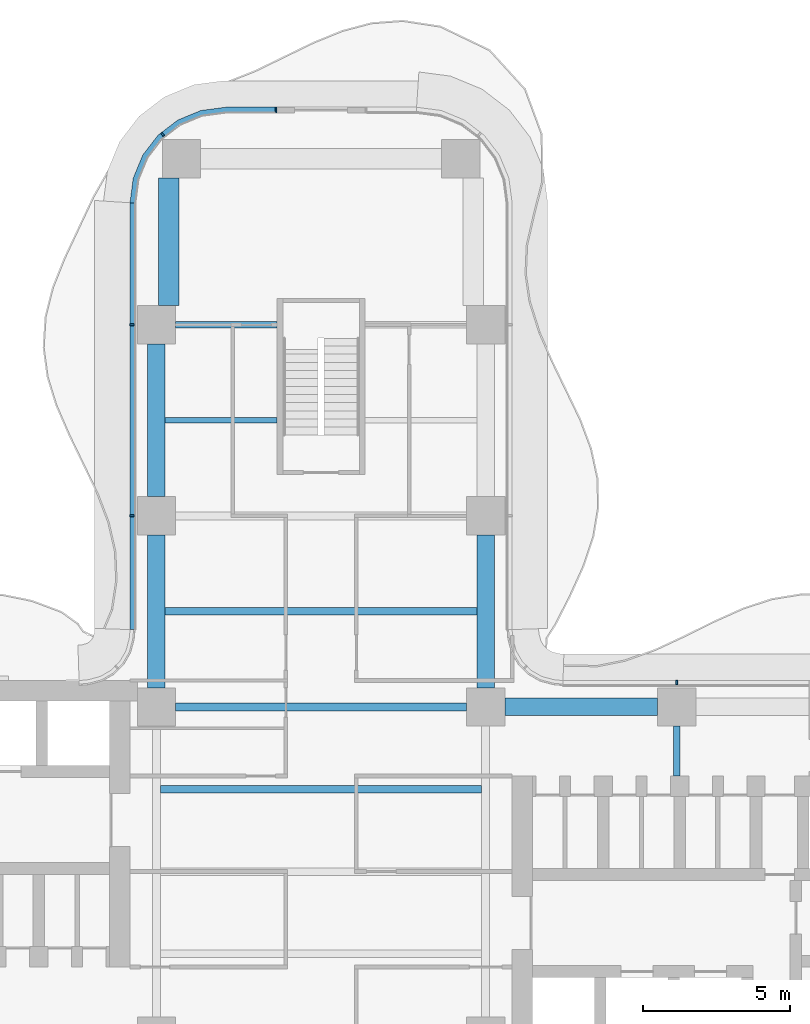
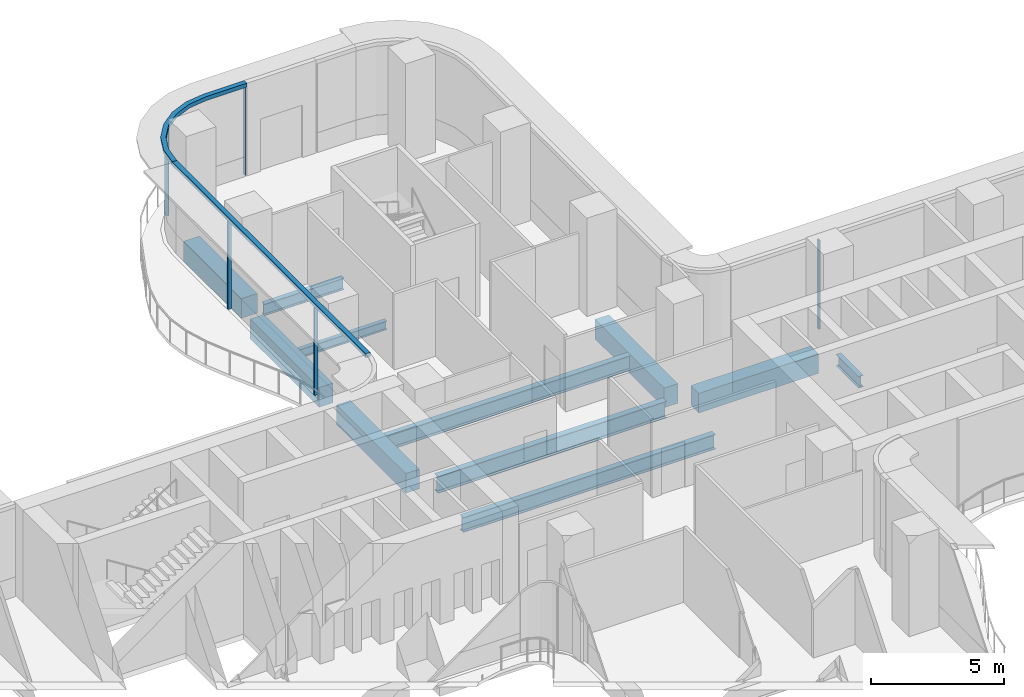
# One storey, part 9 of 23: 11 beams, 7 members, 3 elements without a shape of their own.
"""IFC4 building model written with IfcOpenShell, lengths in metres."""

import ifcopenshell
import ifcopenshell.guid

model = None  # the IFC model being written
_history = None  # IfcOwnerHistory: only IFC2X3 demands one
_inside = {}  # id of a spatial element -> (the spatial element, [elements in it])
_under = {}  # id of a project, library or spatial element -> (it, [spatial elements below it])
_declared = {}  # id of a project -> (the project, [libraries it declares])
_typed = {}  # id of a type object -> (the type object, [elements of that type])
_made_of = {}  # id of a material, layer set ... -> (it, [elements and type objects made of it])


def new_model(schema):
    """Start an empty IFC model of exactly this schema.

    Asked for "IFC4X3", IfcOpenShell would pick the latest addendum, in which some entities
    have other attributes; the version numbers below select the first issue.
    IFC2X3 requires an IfcOwnerHistory on every rooted entity: one is made here for all.
    """
    global model, _history
    if schema == "IFC4X3":
        model = ifcopenshell.file(schema_version=(4, 3, 0, 0))
    else:
        model = ifcopenshell.file(schema=schema)
    _inside.clear()
    _under.clear()
    _declared.clear()
    _typed.clear()
    _made_of.clear()
    _history = None
    if model.schema == "IFC2X3":
        org = make("IfcOrganization", Name="unknown")
        user = make(
            "IfcPersonAndOrganization",
            ThePerson=make("IfcPerson", FamilyName="unknown"),
            TheOrganization=org,
        )
        app = make(
            "IfcApplication",
            ApplicationDeveloper=org,
            Version="unknown",
            ApplicationFullName="unknown",
            ApplicationIdentifier="unknown",
        )
        _history = make(
            "IfcOwnerHistory",
            OwningUser=user,
            OwningApplication=app,
            ChangeAction="ADDED",
            CreationDate=0,
        )
    return model


def make(cls, **values):
    """One entity of the class cls with the attributes given. An attribute that is None is left unset."""
    return model.create_entity(
        cls, **{name: value for name, value in values.items() if value is not None}
    )


def rooted(cls, **values):
    """An entity with a GlobalId (a new one), such as an element, a storey or a relation."""
    return make(cls, GlobalId=ifcopenshell.guid.new(), OwnerHistory=_history, **values)


def si_unit(unit_type, name, prefix=None):
    """IfcSIUnit, for example si_unit("LENGTHUNIT", "METRE", prefix="MILLI")."""
    return make("IfcSIUnit", UnitType=unit_type, Prefix=prefix, Name=name)


def assignment(units):
    """IfcUnitAssignment: the units of a project."""
    return None if units is None else make("IfcUnitAssignment", Units=units)


def point(xyz):
    """IfcCartesianPoint."""
    return None if xyz is None else make("IfcCartesianPoint", Coordinates=xyz)


def direction(xyz):
    """IfcDirection."""
    return None if xyz is None else make("IfcDirection", DirectionRatios=xyz)


def frame(location, z_axis=None, x_axis=None):
    """IfcAxis2Placement3D, a coordinate frame: its origin and axes. An axis left out is left unset."""
    return make(
        "IfcAxis2Placement3D",
        Location=point(location),
        Axis=direction(z_axis),
        RefDirection=direction(x_axis),
    )


def frame_2d(location, x_axis=None):
    """IfcAxis2Placement2D, a coordinate frame in the plane: its origin and x axis."""
    return make(
        "IfcAxis2Placement2D", Location=point(location), RefDirection=direction(x_axis)
    )


def origin():
    """The frame at (0, 0, 0) with its axes left unset."""
    return frame((0.0, 0.0, 0.0))


def origin_2d():
    """The frame at (0, 0) in the plane with its x axis left unset."""
    return frame_2d((0.0, 0.0))


def place(relative_to, where):
    """IfcLocalPlacement: puts the frame where relative to a parent placement (None: the world)."""
    return make(
        "IfcLocalPlacement", PlacementRelTo=relative_to, RelativePlacement=where
    )


def context(
    kind, dimensions, precision=None, world=None, true_north=None, identifier=None
):
    """IfcGeometricRepresentationContext, for example the 3D "Model" context."""
    return make(
        "IfcGeometricRepresentationContext",
        ContextIdentifier=identifier,
        ContextType=kind,
        CoordinateSpaceDimension=dimensions,
        Precision=precision,
        WorldCoordinateSystem=world,
        TrueNorth=true_north,
    )


def subcontext(parent, identifier, kind, view, scale=None):
    """IfcGeometricRepresentationSubContext, for example "Body" below "Model"."""
    return make(
        "IfcGeometricRepresentationSubContext",
        ContextIdentifier=identifier,
        ContextType=kind,
        ParentContext=parent,
        TargetScale=scale,
        TargetView=view,
    )


def project(units=None, contexts=None):
    """IfcProject with its units and contexts."""
    return rooted(
        "IfcProject",
        Name="project",
        RepresentationContexts=contexts,
        UnitsInContext=assignment(units),
    )


def spatial(cls, under=None, at=None, **own):
    """A site, building, storey or space (cls), placed at a placement, below another one or the project."""
    s = rooted(cls, ObjectPlacement=at, **own)
    if under is not None:
        _under.setdefault(under.id(), (under, []))[1].append(s)
    return s


def polyline(points):
    """IfcPolyline through the points."""
    return make("IfcPolyline", Points=[point(p) for p in points])


def profile(cls, at=None, kind="AREA", **sizes):
    """A parametric profile (cls). Its sizes go by their IFC names, for example OverallWidth=200.0."""
    return make(cls, ProfileType=kind, Position=at, **sizes)


def rectangle(**sizes):
    """IfcRectangleProfileDef."""
    return profile("IfcRectangleProfileDef", **sizes)


def i_section(**sizes):
    """IfcIShapeProfileDef."""
    return profile("IfcIShapeProfileDef", **sizes)


def outline(outer, holes=None, kind="AREA"):
    """IfcArbitraryClosedProfileDef: a profile drawn as a closed curve; with holes, ...WithVoids."""
    if holes is None:
        return make("IfcArbitraryClosedProfileDef", ProfileType=kind, OuterCurve=outer)
    return make(
        "IfcArbitraryProfileDefWithVoids",
        ProfileType=kind,
        OuterCurve=outer,
        InnerCurves=holes,
    )


def extrude(swept, where, along, depth):
    """IfcExtrudedAreaSolid: the profile swept, set in the frame where, extruded along a direction by depth."""
    return make(
        "IfcExtrudedAreaSolid",
        SweptArea=swept,
        Position=where,
        ExtrudedDirection=direction(along),
        Depth=depth,
    )


def shape(context_of_items, identifier, shape_type, items):
    """IfcShapeRepresentation: the items that make up one representation, for example the "Body"."""
    return make(
        "IfcShapeRepresentation",
        ContextOfItems=context_of_items,
        RepresentationIdentifier=identifier,
        RepresentationType=shape_type,
        Items=items,
    )


def source(mapping_origin, context_of_items, identifier, shape_type, items):
    """IfcRepresentationMap: a shape defined once, which mapped items show again and again."""
    return make(
        "IfcRepresentationMap",
        MappingOrigin=mapping_origin,
        MappedRepresentation=shape(context_of_items, identifier, shape_type, items),
    )


def transform(
    local_origin,
    x_axis=None,
    y_axis=None,
    z_axis=None,
    scale=None,
    scale2=None,
    scale3=None,
    uniform=True,
):
    """IfcCartesianTransformationOperator3D, or its non-uniform kind. x_axis, y_axis, z_axis: its Axis1, 2, 3."""
    if uniform:
        return make(
            "IfcCartesianTransformationOperator3D",
            Axis1=direction(x_axis),
            Axis2=direction(y_axis),
            LocalOrigin=point(local_origin),
            Scale=scale,
            Axis3=direction(z_axis),
        )
    return make(
        "IfcCartesianTransformationOperator3DnonUniform",
        Axis1=direction(x_axis),
        Axis2=direction(y_axis),
        LocalOrigin=point(local_origin),
        Scale=scale,
        Axis3=direction(z_axis),
        Scale2=scale2,
        Scale3=scale3,
    )


def mapped(mapping_source, mapping_target):
    """IfcMappedItem: shows the shape of a source again, moved by a transform."""
    return make(
        "IfcMappedItem", MappingSource=mapping_source, MappingTarget=mapping_target
    )


def material(Name=None, Category=None):
    """IfcMaterial."""
    return make("IfcMaterial", Name=Name, Category=Category)


def layer(
    of_material, thickness, ventilated=None, Name=None, Category=None, Priority=None
):
    """IfcMaterialLayer: one layer of a wall or slab, of a material (None: an air gap)."""
    return make(
        "IfcMaterialLayer",
        Material=of_material,
        LayerThickness=thickness,
        IsVentilated=ventilated,
        Name=Name,
        Category=Category,
        Priority=Priority,
    )


def layer_set(layers, Name=None):
    """IfcMaterialLayerSet."""
    return make("IfcMaterialLayerSet", MaterialLayers=layers, LayerSetName=Name)


def material_profile(
    of_material, cross_section, Name=None, Category=None, Priority=None
):
    """IfcMaterialProfile: a cross section and its material."""
    return make(
        "IfcMaterialProfile",
        Name=Name,
        Material=of_material,
        Profile=cross_section,
        Priority=Priority,
        Category=Category,
    )


def profile_set(profiles, Name=None, composite=None):
    """IfcMaterialProfileSet."""
    return make(
        "IfcMaterialProfileSet",
        Name=Name,
        MaterialProfiles=profiles,
        CompositeProfile=composite,
    )


def made_of(thing, what):
    """Note that an element or type object is made of a material, layer set ...; save() writes the relation."""
    if what is not None:
        _made_of.setdefault(what.id(), (what, []))[1].append(thing)
    return thing


def type_object(cls, material=None, **own):
    """A type object (cls), such as IfcWallType, which elements share."""
    return made_of(rooted(cls, **own), material)


def element(
    cls,
    number,
    at=None,
    inside=None,
    cuts=None,
    type_object=None,
    material=None,
    context=None,
    identifier="Body",
    shape_type=None,
    held_by="IfcProductDefinitionShape",
    body=None,
    shapes=None,
    **own,
):
    """One element of the class cls, such as IfcWall. Its Tag is "e" and its number.

    at: its placement. inside: the storey or other place that contains it. cuts: it is an
    opening in that element (IfcRelVoidsElement). A single representation is given by context,
    identifier, shape_type and body (its items); several are given by shapes. held_by: the class
    of the entity that holds the representations. save() writes the other relations.
    """
    e = rooted(cls, Tag="e%d" % number, ObjectPlacement=at, **own)
    if body is not None:
        shapes = [shape(context, identifier, shape_type, body)]
    if shapes is not None:
        e.Representation = make(held_by, Representations=shapes)
    if inside is not None:
        _inside.setdefault(inside.id(), (inside, []))[1].append(e)
    if cuts is not None:
        rooted(
            "IfcRelVoidsElement", RelatingBuildingElement=cuts, RelatedOpeningElement=e
        )
    if type_object is not None:
        _typed.setdefault(type_object.id(), (type_object, []))[1].append(e)
    return made_of(e, material)


def aggregate(whole, parts):
    """IfcRelAggregates: a whole, such as a stair, and the parts it consists of."""
    return rooted("IfcRelAggregates", RelatingObject=whole, RelatedObjects=parts)


def save(model, path):
    """Write the relations noted so far, then the file.

    IfcRelAggregates (storeys below a building ...), IfcRelContainedInSpatialStructure (elements
    in a storey), IfcRelDefinesByType, IfcRelAssociatesMaterial and IfcRelDeclares: one each for
    every whole, place, type object, material and project.
    """
    for whole, parts in _under.values():
        aggregate(whole, parts)
    for where, things in _inside.values():
        rooted(
            "IfcRelContainedInSpatialStructure",
            RelatedElements=things,
            RelatingStructure=where,
        )
    for kind, things in _typed.values():
        rooted("IfcRelDefinesByType", RelatedObjects=things, RelatingType=kind)
    for what, things in _made_of.values():
        rooted("IfcRelAssociatesMaterial", RelatedObjects=things, RelatingMaterial=what)
    for by, libraries in _declared.values():
        rooted("IfcRelDeclares", RelatingContext=by, RelatedDefinitions=libraries)
    model.write(path)


model = new_model("IFC4")

# Units and contexts
model_context = context("Model", 3, precision=1e-05, world=origin(), true_north=direction((0.0, 1.0)))
body_context = subcontext(model_context, "Body", "Model", "MODEL_VIEW")
ifc_project = project(units=[si_unit("LENGTHUNIT", "METRE"), si_unit("AREAUNIT", "SQUARE_METRE"), si_unit("VOLUMEUNIT", "CUBIC_METRE"), si_unit("PLANEANGLEUNIT", "RADIAN"), si_unit("MASSUNIT", "GRAM", prefix="KILO")], contexts=[model_context])

# Site, building, storey
site_placement = place(None, origin())
site = spatial("IfcSite", under=ifc_project, at=site_placement, CompositionType="ELEMENT")
building_placement = place(site_placement, origin())
building = spatial("IfcBuilding", under=site, at=building_placement, Name="Trellis Farm Tower", CompositionType="ELEMENT")
storey_placement = place(building_placement, frame((0.0, 0.0, 111.0)))
storey = spatial("IfcBuildingStorey", under=building, at=storey_placement, Name="L23", CompositionType="ELEMENT", Elevation=111.0)

# Beams
ifc_material_1 = material(Name="Steel S355", Category="steel")
ifc_material_profile_1 = material_profile(ifc_material_1, i_section(OverallWidth=0.253662109375, OverallDepth=0.68359375, WebThickness=0.012451171875, FlangeThickness=0.021728515625, FilletRadius=0.01513671875, at=origin_2d()), Name="UB 686x254x140")
ifc_profile_set_1 = profile_set([ifc_material_profile_1], Name="Steel S355")
beam_type_1 = type_object("IfcBeamType", Name="UB 686x254x140 joist", PredefinedType="JOIST", material=ifc_profile_set_1)
shared_shape_1 = source(origin(), body_context, "Body", "SweptSolid", [
    extrude(i_section(OverallWidth=0.253662109375, OverallDepth=0.68359375, WebThickness=0.012451171875, FlangeThickness=0.021728515625, FilletRadius=0.01513671875, at=origin_2d()), origin(), (0.0, 0.0, 1.0), 10.93310546875),
])
beam_1_placement = place(storey_placement, frame((-5.466552734375, 2.800048828125, -0.591796875), z_axis=(1.0, 0.0, 0.0), x_axis=(0.0, 1.0, 0.0)))
element("IfcBeam", 1, at=beam_1_placement, inside=storey, type_object=beam_type_1, Name="Floor beam", PredefinedType="JOIST", context=body_context, shape_type="MappedRepresentation", body=[
    mapped(shared_shape_1, transform((0.0, 0.0, 0.0))),
])
ifc_material_profile_2 = material_profile(ifc_material_1, i_section(OverallWidth=0.177978515625, OverallDepth=0.406494140625, WebThickness=0.0078125, FlangeThickness=0.0126953125, FilletRadius=0.01025390625, at=origin_2d()), Name="UB 406x178x60")
ifc_profile_set_2 = profile_set([ifc_material_profile_2], Name="Steel S355")
beam_type_2 = type_object("IfcBeamType", Name="UB 406x178x60 joist", PredefinedType="JOIST", material=ifc_profile_set_2)
shared_shape_2 = source(origin(), body_context, "Body", "SweptSolid", [
    extrude(i_section(OverallWidth=0.177978515625, OverallDepth=0.406494140625, WebThickness=0.0078125, FlangeThickness=0.0126953125, FilletRadius=0.01025390625, at=origin_2d()), origin(), (0.0, 0.0, 1.0), 3.800048828125),
])
beam_2_placement = place(storey_placement, frame((-5.300048828125, 15.35009765625, -0.453125), z_axis=(1.0, 0.0, 0.0), x_axis=(0.0, 1.0, 0.0)))
element("IfcBeam", 2, at=beam_2_placement, inside=storey, type_object=beam_type_2, Name="Floor beam", PredefinedType="JOIST", context=body_context, shape_type="MappedRepresentation", body=[
    mapped(shared_shape_2, transform((0.0, 0.0, 0.0))),
])
shared_shape_3 = source(origin(), body_context, "Body", "SweptSolid", [
    extrude(i_section(OverallWidth=0.253662109375, OverallDepth=0.68359375, WebThickness=0.012451171875, FlangeThickness=0.021728515625, FilletRadius=0.01513671875, at=origin_2d()), origin(), (0.0, 0.0, 1.0), 10.60009765625),
])
beam_3_placement = place(storey_placement, frame((-5.300048828125, 8.85009765625, -0.591796875), z_axis=(1.0, 0.0, 0.0), x_axis=(0.0, 1.0, 0.0)))
element("IfcBeam", 3, at=beam_3_placement, inside=storey, type_object=beam_type_1, Name="Floor beam", PredefinedType="JOIST", context=body_context, shape_type="MappedRepresentation", body=[
    mapped(shared_shape_3, transform((0.0, 0.0, 0.0))),
])
ifc_material_profile_3 = material_profile(ifc_material_1, i_section(OverallWidth=0.209228515625, OverallDepth=0.533203125, WebThickness=0.010009765625, FlangeThickness=0.015625, FilletRadius=0.0126953125, at=origin_2d()), Name="UB 533x210x92")
ifc_profile_set_3 = profile_set([ifc_material_profile_3], Name="Steel S355")
beam_type_3 = type_object("IfcBeamType", Name="UB 533x210x92", PredefinedType="BEAM", material=ifc_profile_set_3)
shared_shape_4 = source(origin(), body_context, "Body", "SweptSolid", [
    extrude(i_section(OverallWidth=0.209228515625, OverallDepth=0.533203125, WebThickness=0.010009765625, FlangeThickness=0.015625, FilletRadius=0.0126953125, at=origin_2d()), origin(), (0.0, 0.0, 1.0), 3.449951171875),
])
beam_4_placement = place(storey_placement, frame((-4.949951171875, 18.60009765625, -0.5166015625), z_axis=(1.0, 0.0, 0.0), x_axis=(0.0, 1.0, 0.0)))
element("IfcBeam", 4, at=beam_4_placement, inside=storey, type_object=beam_type_3, Name="Girder", PredefinedType="BEAM", context=body_context, shape_type="MappedRepresentation", body=[
    mapped(shared_shape_4, transform((0.0, 0.0, 0.0))),
])
ifc_material_profile_4 = material_profile(ifc_material_1, i_section(OverallWidth=0.2666015625, OverallDepth=0.76220703125, WebThickness=0.014404296875, FlangeThickness=0.021484375, FilletRadius=0.0166015625, at=origin_2d()), Name="UB 762x267x173")
ifc_profile_set_4 = profile_set([ifc_material_profile_4], Name="Steel S355")
beam_type_4 = type_object("IfcBeamType", Name="UB 762x267x173", PredefinedType="BEAM", material=ifc_profile_set_4)
shared_shape_5 = source(origin(), body_context, "Body", "SweptSolid", [
    extrude(i_section(OverallWidth=0.2666015625, OverallDepth=0.76220703125, WebThickness=0.014404296875, FlangeThickness=0.021484375, FilletRadius=0.0166015625, at=origin_2d()), origin(), (0.0, 0.0, 1.0), 9.89990234375),
])
beam_5_placement = place(storey_placement, frame((-4.949951171875, 5.60009765625, -0.631103515625), z_axis=(1.0, 0.0, 0.0), x_axis=(0.0, 1.0, 0.0)))
element("IfcBeam", 5, at=beam_5_placement, inside=storey, type_object=beam_type_4, Name="Girder", PredefinedType="BEAM", context=body_context, shape_type="MappedRepresentation", body=[
    mapped(shared_shape_5, transform((0.0, 0.0, 0.0))),
])
shared_shape_6 = source(origin(), body_context, "Body", "SweptSolid", [
    extrude(i_section(OverallWidth=0.209228515625, OverallDepth=0.533203125, WebThickness=0.010009765625, FlangeThickness=0.015625, FilletRadius=0.0126953125, at=origin_2d()), origin(), (0.0, 0.0, 1.0), 1.699951171875),
])
beam_6_placement = place(storey_placement, frame((12.10009765625, 3.25, -0.5166015625), z_axis=(0.0, 1.0, 0.0), x_axis=(-1.0, 0.0, 0.0)))
element("IfcBeam", 6, at=beam_6_placement, inside=storey, type_object=beam_type_3, Name="Girder", PredefinedType="BEAM", context=body_context, shape_type="MappedRepresentation", body=[
    mapped(shared_shape_6, transform((0.0, 0.0, 0.0))),
])
ifc_material_2 = material(Name="Concrete C60/75", Category="concrete")
ifc_material_profile_5 = material_profile(ifc_material_2, rectangle(XDim=0.60009765625, YDim=0.89990234375, at=origin_2d()), Name="RC spandrel beam 600x900 C60/75")
ifc_profile_set_5 = profile_set([ifc_material_profile_5], Name="Concrete C60/75")
beam_type_5 = type_object("IfcBeamType", Name="RC spandrel beam 600x900 C60/75", PredefinedType="SPANDREL", material=ifc_profile_set_5)
shared_shape_7 = source(origin(), body_context, "Body", "SweptSolid", [
    extrude(rectangle(XDim=0.60009765625, YDim=0.89990234375, at=origin_2d()), origin(), (0.0, 0.0, 1.0), 5.199951171875),
])
for number, where, z_axis, x_axis, name in (
    (7, (6.25, 5.60009765625, -0.699951171875), (1.0, 0.0, 0.0), (0.0, 1.0, 0.0), "Girder"),
    (8, (-5.60009765625, 6.25, -0.699951171875), (0.0, 1.0, 0.0), (-1.0, 0.0, 0.0), "Girder"),
    (9, (-5.60009765625, 12.75, -0.699951171875), (0.0, 1.0, 0.0), (-1.0, 0.0, 0.0), "Girder"),
    (10, (5.60009765625, 6.25, -0.699951171875), (0.0, 1.0, 0.0), (-1.0, 0.0, 0.0), "Girder"),
):
    element("IfcBeam", number, at=place(storey_placement, frame(where, z_axis=z_axis, x_axis=x_axis)), inside=storey, type_object=beam_type_5, Name=name, PredefinedType="SPANDREL", context=body_context, shape_type="MappedRepresentation", body=[
        mapped(shared_shape_7, transform((0.0, 0.0, 0.0))),
    ])
ifc_material_profile_6 = material_profile(ifc_material_2, rectangle(XDim=0.699951171875, YDim=0.89990234375, at=origin_2d()), Name="RC spandrel beam 700x900 C60/75")
ifc_profile_set_6 = profile_set([ifc_material_profile_6], Name="Concrete C60/75")
beam_type_6 = type_object("IfcBeamType", Name="RC spandrel beam 700x900 C60/75", PredefinedType="SPANDREL", material=ifc_profile_set_6)
shared_shape_8 = source(origin(), body_context, "Body", "SweptSolid", [
    extrude(rectangle(XDim=0.699951171875, YDim=0.89990234375, at=origin_2d()), origin(), (0.0, 0.0, 1.0), 4.35009765625),
])
beam_7_placement = place(storey_placement, frame((-5.175048828125, 19.25, -0.699951171875), z_axis=(0.0, 1.0, 0.0), x_axis=(-1.0, 0.0, 0.0)))
element("IfcBeam", 11, at=beam_7_placement, inside=storey, type_object=beam_type_6, Name="Girder", PredefinedType="SPANDREL", context=body_context, shape_type="MappedRepresentation", body=[
    mapped(shared_shape_8, transform((0.0, 0.0, 0.0))),
])

# Curtain wall, member
ifc_material_3 = material(Name="Aluminium and glass curtain wall", Category="aluminium")
ifc_layer_1 = layer(ifc_material_3, 0.18994140625)
ifc_layer_set_1 = layer_set([ifc_layer_1], Name="RIBBON CURTAIN WALL CW1")
curtain_wall_type = type_object("IfcCurtainWallType", Name="RIBBON CURTAIN WALL CW1", PredefinedType="NOTDEFINED", material=ifc_layer_set_1)
placement_1 = place(storey_placement, origin())
curtain_wall_1 = element("IfcCurtainWall", 12, at=placement_1, inside=storey, type_object=curtain_wall_type, Name="CW1 008", PredefinedType="NOTDEFINED")
ifc_material_4 = material(Name="Aluminium extrusion 6063-T6", Category="aluminium")
ifc_material_profile_7 = material_profile(ifc_material_4, rectangle(XDim=0.06005859375, YDim=0.14990234375, at=origin_2d()), Name="MULLION 60x150")
ifc_profile_set_7 = profile_set([ifc_material_profile_7], Name="Aluminium extrusion 6063-T6")
member_type_1 = type_object("IfcMemberType", Name="CW1 MULLION 60x150", PredefinedType="MULLION", material=ifc_profile_set_7)
shared_shape_9 = source(origin(), body_context, "Body", "SweptSolid", [
    extrude(rectangle(XDim=0.06005859375, YDim=0.14990234375, at=origin_2d()), origin(), (0.0, 0.0, 1.0), 4.070068359375),
])
member_1_placement = place(storey_placement, frame((12.10009765625, 6.425048828125, 0.0), z_axis=(0.0, 0.0, 1.0), x_axis=(-1.0, 0.0, 0.0)))
member_1 = element("IfcMember", 13, at=member_1_placement, type_object=member_type_1, Name="MU1 008-02", PredefinedType="MULLION", context=body_context, shape_type="MappedRepresentation", body=[
    mapped(shared_shape_9, transform((0.0, 0.0, 0.0))),
])
aggregate(curtain_wall_1, [member_1])

# Curtain wall, members
curtain_wall_2 = element("IfcCurtainWall", 14, at=placement_1, inside=storey, type_object=curtain_wall_type, Name="CW1 011", PredefinedType="NOTDEFINED")
member_2_placement = place(storey_placement, frame((-1.530029296875, 25.925048828125, 0.0), z_axis=(0.0, 0.0, 1.0), x_axis=(-1.0, 0.0, 0.0)))
member_2 = element("IfcMember", 15, at=member_2_placement, type_object=member_type_1, Name="MU1 011-01", PredefinedType="MULLION", context=body_context, shape_type="MappedRepresentation", body=[
    mapped(shared_shape_9, transform((0.0, 0.0, 0.0))),
])
member_3_placement = place(storey_placement, frame((-5.385498046875, 25.078369140625, 0.0), z_axis=(0.0, 0.0, 1.0), x_axis=(-0.793353340291, -0.608761429009, 0.0)))
member_3 = element("IfcMember", 16, at=member_3_placement, type_object=member_type_1, Name="MU1 011-02", PredefinedType="MULLION", context=body_context, shape_type="MappedRepresentation", body=[
    mapped(shared_shape_9, transform((0.0, 0.0, 0.0))),
])

curtain_wall_3 = element("IfcCurtainWall", 17, at=placement_1, inside=storey, type_object=curtain_wall_type, Name="CW1 012", PredefinedType="NOTDEFINED")
member_4_placement = place(storey_placement, frame((-6.425048828125, 18.60009765625, 0.0), z_axis=(0.0, 0.0, 1.0), x_axis=(0.0, -1.0, 0.0)))
member_4 = element("IfcMember", 18, at=member_4_placement, type_object=member_type_1, Name="MU1 012-01", PredefinedType="MULLION", context=body_context, shape_type="MappedRepresentation", body=[
    mapped(shared_shape_9, transform((0.0, 0.0, 0.0))),
])
member_5_placement = place(storey_placement, frame((-6.425048828125, 12.10009765625, 0.0), z_axis=(0.0, 0.0, 1.0), x_axis=(0.0, -1.0, 0.0)))
member_5 = element("IfcMember", 19, at=member_5_placement, type_object=member_type_1, Name="MU1 012-02", PredefinedType="MULLION", context=body_context, shape_type="MappedRepresentation", body=[
    mapped(shared_shape_9, transform((0.0, 0.0, 0.0))),
])
ifc_layer_2 = layer(ifc_material_4, 0.199951171875)
ifc_layer_set_2 = layer_set([ifc_layer_2], Name="Aluminium extrusion 6063-T6")
member_type_2 = type_object("IfcMemberType", Name="CW1 TRANSOM 200x180", PredefinedType="USERDEFINED", material=ifc_layer_set_2)
shared_shape_10 = source(origin(), body_context, "Body", "SweptSolid", [
    extrude(outline(polyline([(-6.5, 22.75), (-6.5, 8.2314453125), (-6.300048828125, 8.224853515625), (-6.300048828125, 22.73681640625), (-6.5, 22.75)])), origin(), (0.0, 0.0, 1.0), 0.179931640625),
])
placement_2 = place(storey_placement, frame((0.0, 0.0, 4.070068359375)))
member_6 = element("IfcMember", 20, at=placement_2, type_object=member_type_2, Name="TR1 012", ObjectType="TRANSOM", PredefinedType="USERDEFINED", context=body_context, shape_type="MappedRepresentation", body=[
    mapped(shared_shape_10, transform((0.0, 0.0, 0.0))),
])
aggregate(curtain_wall_3, [member_4, member_5, member_6])

# Member
shared_shape_11 = source(origin(), body_context, "Body", "SweptSolid", [
    extrude(outline(polyline([(-1.5, 26.0), (-3.25, 26.0), (-4.091064453125, 25.88916015625), (-4.875, 25.564697265625), (-5.548095703125, 25.048095703125), (-6.064697265625, 24.375), (-6.38916015625, 23.591064453125), (-6.5, 22.75), (-6.300048828125, 22.73681640625), (-6.1943359375, 23.5390625), (-5.889892578125, 24.274169921875), (-5.405517578125, 24.905517578125), (-4.774169921875, 25.389892578125), (-4.0390625, 25.6943359375), (-3.23681640625, 25.800048828125), (-1.5, 25.800048828125), (-1.5, 26.0)])), origin(), (0.0, 0.0, 1.0), 0.179931640625),
])
member_7 = element("IfcMember", 21, at=placement_2, type_object=member_type_2, Name="TR1 011", ObjectType="TRANSOM", PredefinedType="USERDEFINED", context=body_context, shape_type="MappedRepresentation", body=[
    mapped(shared_shape_11, transform((0.0, 0.0, 0.0))),
])

aggregate(curtain_wall_2, [member_2, member_3, member_7])

save(model, "model.ifc")
